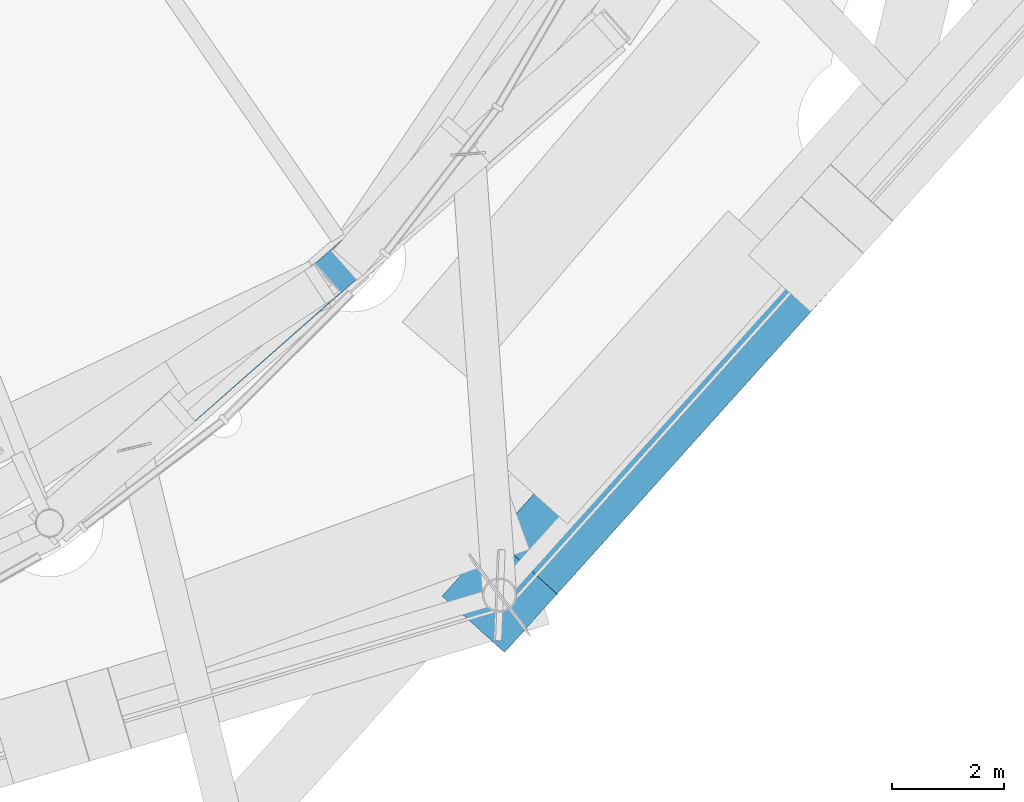
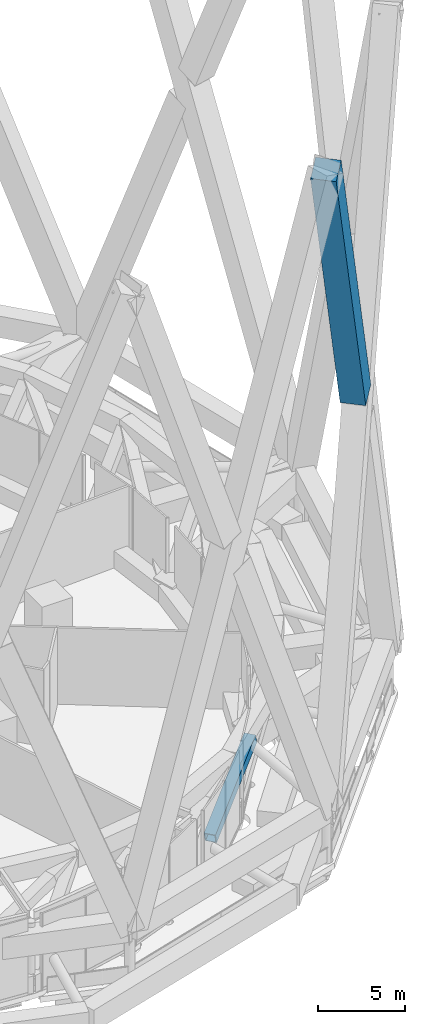
# One storey, part 17 of 49: 1 beam, 1 member.
"""IFC4 building model written with IfcOpenShell, lengths in metres."""

from ifc_helpers import new_model, si_unit, direction, frame, origin, origin_2d, place, context, subcontext, project, spatial, rectangle, hollow_rectangle, extrude, material, material_profile, profile_set, type_object, element, save


model = new_model("IFC4")

# Units and contexts
model_context = context("Model", 3, precision=1e-05, world=origin(), true_north=direction((0.0, 1.0)))
body_context = subcontext(model_context, "Body", "Model", "MODEL_VIEW")
ifc_project = project(units=[si_unit("LENGTHUNIT", "METRE"), si_unit("AREAUNIT", "SQUARE_METRE"), si_unit("VOLUMEUNIT", "CUBIC_METRE"), si_unit("PLANEANGLEUNIT", "RADIAN"), si_unit("MASSUNIT", "GRAM", prefix="KILO")], contexts=[model_context])

# Site, building, storey
site_placement = place(None, origin())
site = spatial("IfcSite", under=ifc_project, at=site_placement, CompositionType="ELEMENT")
building_placement = place(site_placement, origin())
building = spatial("IfcBuilding", under=site, at=building_placement, Name="Nagisa Residences", CompositionType="ELEMENT")
storey_placement = place(building_placement, frame((0.0, 0.0, 160.300048828125)))
storey = spatial("IfcBuildingStorey", under=building, at=storey_placement, Name="L40", CompositionType="ELEMENT", Elevation=160.300048828125)

# Beam
ifc_material_1 = material(Name="Steel ASTM A572 Gr 50", Category="steel")
ifc_material_profile_1 = material_profile(ifc_material_1, hollow_rectangle(XDim=0.699951171875, YDim=0.699951171875, WallThickness=0.0400390625, at=origin_2d()), Name="BX 700x700x40")
ifc_profile_set_1 = profile_set([ifc_material_profile_1], Name="Steel ASTM A572 Gr 50")
beam_type = type_object("IfcBeamType", Name="Belt diagonal 3 BX 700x700x40", PredefinedType="BEAM", material=ifc_profile_set_1)
beam_placement = place(storey_placement, frame((13.505615234375, -26.82177734375, 1.550048828125), z_axis=(0.716887117895, 0.630471403774, 0.297621688085), x_axis=(-0.660398075266, 0.750915695791, 0.0)))
element("IfcBeam", 1, at=beam_placement, inside=storey, type_object=beam_type, Name="beam:L40:bt3db21", PredefinedType="BEAM", context=body_context, shape_type="SweptSolid", body=[
    extrude(hollow_rectangle(XDim=0.699951171875, YDim=0.699951171875, WallThickness=0.0400390625, at=origin_2d()), origin(), (0.0, 0.0, 1.0), 7.5263671875),
])

# Member
ifc_material_2 = material(Name="Concrete C80", Category="concrete")
ifc_material_profile_2 = material_profile(ifc_material_2, rectangle(XDim=1.5, YDim=1.5, at=origin_2d()), Name="C80 1500x1500")
ifc_profile_set_2 = profile_set([ifc_material_profile_2], Name="Concrete C80")
member_type = type_object("IfcMemberType", Name="Cage diagonal 4 C80 1500x1500", PredefinedType="BRACE", material=ifc_profile_set_2)
member_placement = place(storey_placement, frame((24.697265625, -24.045166015625, 26.975830078125), z_axis=(-0.240088711993, -0.266960868955, 0.933321651319), x_axis=(0.743537936889, -0.668693753827, 0.0)))
element("IfcMember", 2, at=member_placement, inside=storey, type_object=member_type, Name="mem:L40:cg4d022b", PredefinedType="BRACE", context=body_context, shape_type="SweptSolid", body=[
    extrude(rectangle(XDim=1.5, YDim=1.5, at=origin_2d()), origin(), (0.0, 0.0, 1.0), 22.740478515625),
])

save(model, "model.ifc")
